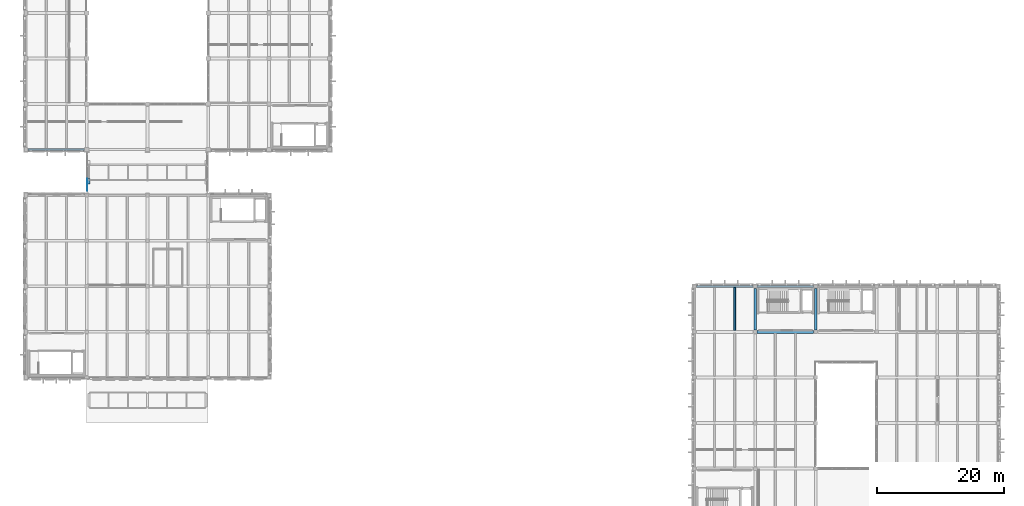
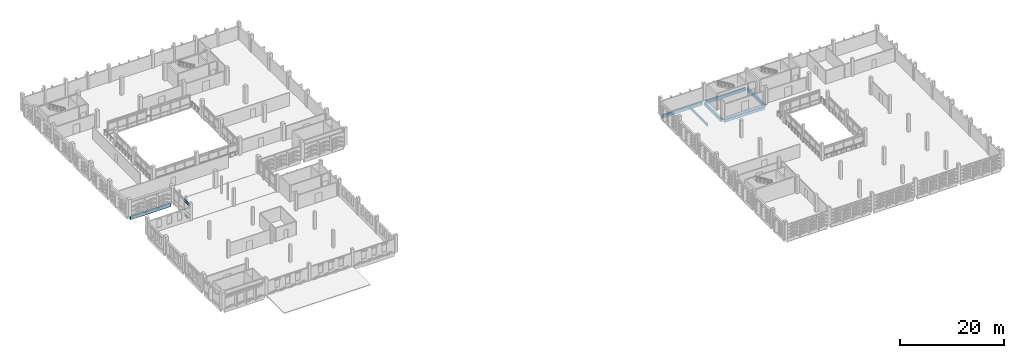
# One storey, part 14 of 72: 8 beams, 4 members, 1 element without a shape of its own.
"""IFC4 building model written with IfcOpenShell, lengths in metres."""

from ifc_helpers import new_model, si_unit, direction, frame, origin, origin_2d, place, context, subcontext, project, spatial, rectangle, hollow_rectangle, extrude, material, layer, layer_set, material_profile, profile_set, type_object, element, aggregate, save


model = new_model("IFC4")

# Units and contexts
model_context = context("Model", 3, precision=1e-05, world=origin(), true_north=direction((0.0, 1.0)))
body_context = subcontext(model_context, "Body", "Model", "MODEL_VIEW")
ifc_project = project(units=[si_unit("LENGTHUNIT", "METRE"), si_unit("AREAUNIT", "SQUARE_METRE"), si_unit("VOLUMEUNIT", "CUBIC_METRE"), si_unit("PLANEANGLEUNIT", "RADIAN"), si_unit("MASSUNIT", "GRAM", prefix="KILO")], contexts=[model_context])

# Site, building, storey
site_placement = place(None, origin())
site = spatial("IfcSite", under=ifc_project, at=site_placement, CompositionType="ELEMENT")
building_placement = place(site_placement, origin())
building = spatial("IfcBuilding", under=site, at=building_placement, Name="Asteropetra Specialist Clinic", CompositionType="ELEMENT")
storey_placement = place(building_placement, frame((0.0, 0.0, 12.580078125)))
storey = spatial("IfcBuildingStorey", under=building, at=storey_placement, Name="L03", CompositionType="ELEMENT", Elevation=12.580078125)

# Beams
ifc_material_1 = material(Name="Concrete C35/45", Category="concrete")
ifc_material_profile_1 = material_profile(ifc_material_1, rectangle(XDim=0.35009765625, YDim=0.550048828125, at=origin_2d()), Name="RCB 350x550")
ifc_profile_set_1 = profile_set([ifc_material_profile_1], Name="Concrete C35/45")
beam_type_1 = type_object("IfcBeamType", Name="BM-RC350x550", PredefinedType="BEAM", material=ifc_profile_set_1)
beam_1_placement = place(storey_placement, frame((9.949951171875, 65.0, -0.56005859375), z_axis=(0.0, -1.0, 0.0), x_axis=(1.0, 0.0, 0.0)))
element("IfcBeam", 1, at=beam_1_placement, inside=storey, type_object=beam_type_1, Name="Bridge Bearing Seat Corbel CRB-17", PredefinedType="BEAM", context=body_context, shape_type="SweptSolid", body=[
    extrude(rectangle(XDim=0.35009765625, YDim=0.550048828125, at=origin_2d()), origin(), (0.0, 0.0, 1.0), 0.85009765625),
])
ifc_material_2 = material(Name="Concrete C35/45", Category="concrete")
ifc_material_profile_2 = material_profile(ifc_material_2, rectangle(XDim=0.39990234375, YDim=0.64990234375, at=origin_2d()), Name="RCB 400x650")
ifc_profile_set_2 = profile_set([ifc_material_profile_2], Name="Concrete C35/45")
beam_type_2 = type_object("IfcBeamType", Name="BM-RC400x650", PredefinedType="BEAM", material=ifc_profile_set_2)
for number, where, z_axis, x_axis, name in (
    (2, (115.199951171875, 41.125, -0.625), (0.0, 1.0, 0.0), (-1.0, 0.0, 0.0), "Beam BBM07-1556"),
    (3, (124.800048828125, 41.125, -0.625), (0.0, 1.0, 0.0), (-1.0, 0.0, 0.0), "Beam BBM07-1557"),
):
    element("IfcBeam", number, at=place(storey_placement, frame(where, z_axis=z_axis, x_axis=x_axis)), inside=storey, type_object=beam_type_2, Name=name, PredefinedType="BEAM", context=body_context, shape_type="SweptSolid", body=[
        extrude(rectangle(XDim=0.39990234375, YDim=0.64990234375, at=origin_2d()), origin(), (0.0, 0.0, 1.0), 6.550048828125),
    ])
ifc_material_3 = material(Name="Concrete C35/45", Category="concrete")
ifc_material_profile_3 = material_profile(ifc_material_3, rectangle(XDim=0.449951171875, YDim=0.699951171875, at=origin_2d()), Name="RCB 450x700")
ifc_profile_set_3 = profile_set([ifc_material_profile_3], Name="Concrete C35/45")
beam_type_3 = type_object("IfcBeamType", Name="BM-RC450x700", PredefinedType="BEAM", material=ifc_profile_set_3)
beam_2_placement = place(storey_placement, frame((115.52490234375, 40.800048828125, -0.650146484375), z_axis=(1.0, 0.0, 0.0), x_axis=(0.0, 1.0, 0.0)))
element("IfcBeam", 4, at=beam_2_placement, inside=storey, type_object=beam_type_3, Name="Beam BBM05-1466", PredefinedType="BEAM", context=body_context, shape_type="SweptSolid", body=[
    extrude(rectangle(XDim=0.449951171875, YDim=0.699951171875, at=origin_2d()), origin(), (0.0, 0.0, 1.0), 8.9501953125),
])

# Curtain wall, members
ifc_material_4 = material(Name="Aluminium and low-E glass", Category="aluminium")
ifc_layer = layer(ifc_material_4, 0.14990234375)
ifc_layer_set = layer_set([ifc_layer], Name="Aluminium and low-E glass")
curtain_wall_type = type_object("IfcCurtainWallType", Name="CW-SYS-08", PredefinedType="USERDEFINED", material=ifc_layer_set)
curtain_wall_placement = place(storey_placement, origin())
curtain_wall = element("IfcCurtainWall", 5, at=curtain_wall_placement, inside=storey, type_object=curtain_wall_type, Name="Curtain Wall CW-107", ObjectType="STICK GLAZED COLONNADE", PredefinedType="USERDEFINED")
ifc_material_5 = material(Name="Aluminium 6063-T6", Category="aluminium")
ifc_material_profile_4 = material_profile(ifc_material_5, hollow_rectangle(XDim=0.06005859375, YDim=0.10009765625, WallThickness=0.00341796875, InnerFilletRadius=0.00341796875, OuterFilletRadius=0.007080078125, at=origin_2d()), Name="TRN 100x60x3.5")
ifc_profile_set_4 = profile_set([ifc_material_profile_4], Name="Aluminium 6063-T6")
member_type = type_object("IfcMemberType", Name="CWT-100x60", PredefinedType="USERDEFINED", material=ifc_profile_set_4)
member_1_placement = place(storey_placement, frame((9.679931640625, 63.070068359375, 0.030029296875), z_axis=(0.0, 1.0, 0.0), x_axis=(-1.0, 0.0, 0.0)))
member_1 = element("IfcMember", 6, at=member_1_placement, type_object=member_type, Name="CW-107 transom 1.1", ObjectType="TRANSOM", PredefinedType="USERDEFINED", context=body_context, shape_type="SweptSolid", body=[
    extrude(hollow_rectangle(XDim=0.06005859375, YDim=0.10009765625, WallThickness=0.00341796875, InnerFilletRadius=0.00341796875, OuterFilletRadius=0.007080078125, at=origin_2d()), origin(), (0.0, 0.0, 1.0), 1.9033203125),
])
member_2_placement = place(storey_placement, frame((9.679931640625, 63.070068359375, 0.89990234375), z_axis=(0.0, 1.0, 0.0), x_axis=(-1.0, 0.0, 0.0)))
member_2 = element("IfcMember", 7, at=member_2_placement, type_object=member_type, Name="CW-107 transom 1.2", ObjectType="TRANSOM", PredefinedType="USERDEFINED", context=body_context, shape_type="SweptSolid", body=[
    extrude(hollow_rectangle(XDim=0.06005859375, YDim=0.10009765625, WallThickness=0.00341796875, InnerFilletRadius=0.00341796875, OuterFilletRadius=0.007080078125, at=origin_2d()), origin(), (0.0, 0.0, 1.0), 1.9033203125),
])
member_3_placement = place(storey_placement, frame((9.679931640625, 63.070068359375, 2.929931640625), z_axis=(0.0, 1.0, 0.0), x_axis=(-1.0, 0.0, 0.0)))
member_3 = element("IfcMember", 8, at=member_3_placement, type_object=member_type, Name="CW-107 transom 1.3", ObjectType="TRANSOM", PredefinedType="USERDEFINED", context=body_context, shape_type="SweptSolid", body=[
    extrude(hollow_rectangle(XDim=0.06005859375, YDim=0.10009765625, WallThickness=0.00341796875, InnerFilletRadius=0.00341796875, OuterFilletRadius=0.007080078125, at=origin_2d()), origin(), (0.0, 0.0, 1.0), 1.9033203125),
])
member_4_placement = place(storey_placement, frame((9.679931640625, 63.070068359375, 3.39990234375), z_axis=(0.0, 1.0, 0.0), x_axis=(-1.0, 0.0, 0.0)))
member_4 = element("IfcMember", 9, at=member_4_placement, type_object=member_type, Name="CW-107 transom 1.4", ObjectType="TRANSOM", PredefinedType="USERDEFINED", context=body_context, shape_type="SweptSolid", body=[
    extrude(hollow_rectangle(XDim=0.06005859375, YDim=0.10009765625, WallThickness=0.00341796875, InnerFilletRadius=0.00341796875, OuterFilletRadius=0.007080078125, at=origin_2d()), origin(), (0.0, 0.0, 1.0), 1.9033203125),
])
aggregate(curtain_wall, [member_1, member_2, member_3, member_4])

# Beams
ifc_material_6 = material(Name="Concrete C35/45", Category="concrete")
ifc_material_profile_5 = material_profile(ifc_material_6, rectangle(XDim=0.280029296875, YDim=0.52001953125, at=origin_2d()), Name="RCJ 280x520")
ifc_profile_set_5 = profile_set([ifc_material_profile_5], Name="Concrete C35/45")
beam_type_4 = type_object("IfcBeamType", Name="JST-RC280x520", PredefinedType="JOIST", material=ifc_profile_set_5)
beam_3_placement = place(storey_placement, frame((112.0, 41.02490234375, -0.56005859375), z_axis=(0.0, 1.0, 0.0), x_axis=(-1.0, 0.0, 0.0)))
element("IfcBeam", 10, at=beam_3_placement, inside=storey, type_object=beam_type_4, Name="Joist JJST01-1562", PredefinedType="JOIST", context=body_context, shape_type="SweptSolid", body=[
    extrude(rectangle(XDim=0.280029296875, YDim=0.52001953125, at=origin_2d()), origin(), (0.0, 0.0, 1.0), 6.815185546875),
])
ifc_material_7 = material(Name="Concrete C35/45", Category="concrete")
ifc_material_profile_6 = material_profile(ifc_material_7, rectangle(XDim=0.320068359375, YDim=0.699951171875, at=origin_2d()), Name="RCS 320x700")
ifc_profile_set_6 = profile_set([ifc_material_profile_6], Name="Concrete C35/45")
beam_type_5 = type_object("IfcBeamType", Name="SPN-RC320x700", PredefinedType="SPANDREL", material=ifc_profile_set_6)
beam_4_placement = place(storey_placement, frame((105.925048828125, 48.0, -0.650146484375), z_axis=(1.0, 0.0, 0.0), x_axis=(0.0, 1.0, 0.0)))
element("IfcBeam", 11, at=beam_4_placement, inside=storey, type_object=beam_type_5, Name="Beam BSPN02-1470", PredefinedType="SPANDREL", context=body_context, shape_type="SweptSolid", body=[
    extrude(rectangle(XDim=0.320068359375, YDim=0.699951171875, at=origin_2d()), origin(), (0.0, 0.0, 1.0), 8.949951171875),
])
beam_5_placement = place(storey_placement, frame((115.52490234375, 48.0, -0.650146484375), z_axis=(1.0, 0.0, 0.0), x_axis=(0.0, 1.0, 0.0)))
element("IfcBeam", 12, at=beam_5_placement, inside=storey, type_object=beam_type_5, Name="Beam BSPN02-1471", PredefinedType="SPANDREL", context=body_context, shape_type="SweptSolid", body=[
    extrude(rectangle(XDim=0.320068359375, YDim=0.699951171875, at=origin_2d()), origin(), (0.0, 0.0, 1.0), 8.9501953125),
])
beam_6_placement = place(storey_placement, frame((0.300048828125, 69.60009765625, -0.630126953125), z_axis=(1.0, 0.0, 0.0), x_axis=(0.0, 1.0, 0.0)))
element("IfcBeam", 13, at=beam_6_placement, inside=storey, type_object=beam_type_5, Name="Beam BSPN02-1567", PredefinedType="SPANDREL", context=body_context, shape_type="SweptSolid", body=[
    extrude(rectangle(XDim=0.320068359375, YDim=0.699951171875, at=origin_2d()), origin(), (0.0, 0.0, 1.0), 8.949951171875),
])

save(model, "model.ifc")
